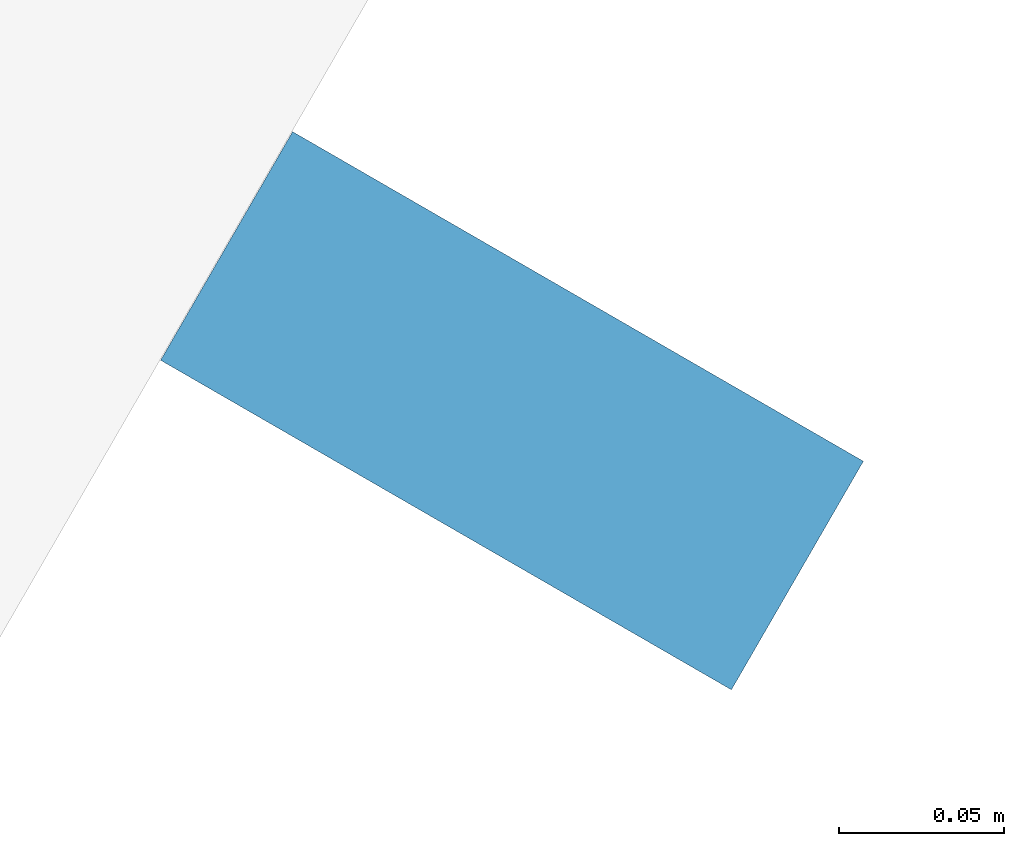
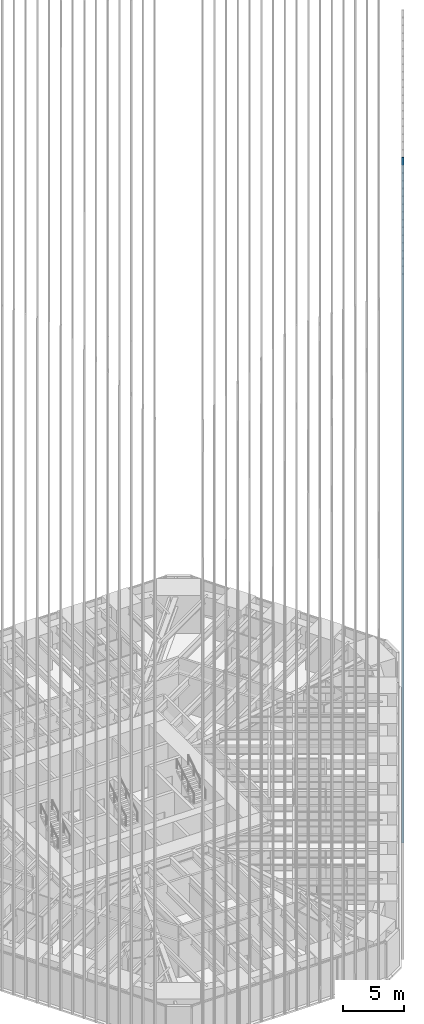
# One storey, part 105 of 256: 1 member, 1 element without a shape of its own.
"""IFC4 building model written with IfcOpenShell, lengths in metres."""

from ifc_helpers import new_model, si_unit, direction, frame, origin, origin_2d, place, context, subcontext, project, spatial, rectangle, extrude, material, material_profile, profile_set, type_object, element, aggregate, save


model = new_model("IFC4")

# Units and contexts
model_context = context("Model", 3, precision=1e-05, world=origin(), true_north=direction((0.0, 1.0)))
body_context = subcontext(model_context, "Body", "Model", "MODEL_VIEW")
ifc_project = project(units=[si_unit("LENGTHUNIT", "METRE"), si_unit("AREAUNIT", "SQUARE_METRE"), si_unit("VOLUMEUNIT", "CUBIC_METRE"), si_unit("PLANEANGLEUNIT", "RADIAN"), si_unit("MASSUNIT", "GRAM", prefix="KILO")], contexts=[model_context])

# Site, building, storey
site_placement = place(None, origin())
site = spatial("IfcSite", under=ifc_project, at=site_placement, CompositionType="ELEMENT")
building_placement = place(site_placement, origin())
building = spatial("IfcBuilding", under=site, at=building_placement, Name="Sandreach Pilgrim Tower", CompositionType="ELEMENT")
storey_placement = place(building_placement, frame((0.0, 0.0, 23.0)))
storey = spatial("IfcBuildingStorey", under=building, at=storey_placement, Name="L04", CompositionType="ELEMENT", Elevation=23.0)

# Curtain wall, member
ifc_material_1 = material(Name="Aluminium framed curtain wall", Category="aluminium")
curtain_wall_type = type_object("IfcCurtainWallType", Name="Hostel tower curtain wall", PredefinedType="NOTDEFINED", material=ifc_material_1)
curtain_wall_placement = place(storey_placement, origin())
curtain_wall = element("IfcCurtainWall", 1, at=curtain_wall_placement, inside=storey, type_object=curtain_wall_type, Name="CW-1 L04 SE", PredefinedType="NOTDEFINED")
ifc_material_2 = material(Name="Extruded terracotta on aluminium core", Category="masonry")
ifc_material_profile = material_profile(ifc_material_2, rectangle(XDim=0.080078125, YDim=0.199951171875, at=origin_2d()), Name="TBE 80X200")
ifc_profile_set = profile_set([ifc_material_profile], Name="Extruded terracotta on aluminium core")
member_type = type_object("IfcMemberType", Name="Terracotta baguette east", PredefinedType="USERDEFINED", material=ifc_profile_set)
member_placement = place(storey_placement, frame((19.98095703125, -14.089599609375, 0.0), z_axis=(0.0, 0.0, 1.0), x_axis=(-0.5, -0.866025403784, 0.0)))
member = element("IfcMember", 2, at=member_placement, type_object=member_type, Name="Baguette Z1 SE20", ObjectType="BAGUETTE", PredefinedType="USERDEFINED", context=body_context, shape_type="SweptSolid", body=[
    extrude(rectangle(XDim=0.080078125, YDim=0.199951171875, at=origin_2d()), origin(), (0.0, 0.0, 1.0), 68.239990234375),
])
aggregate(curtain_wall, [member])

save(model, "model.ifc")
